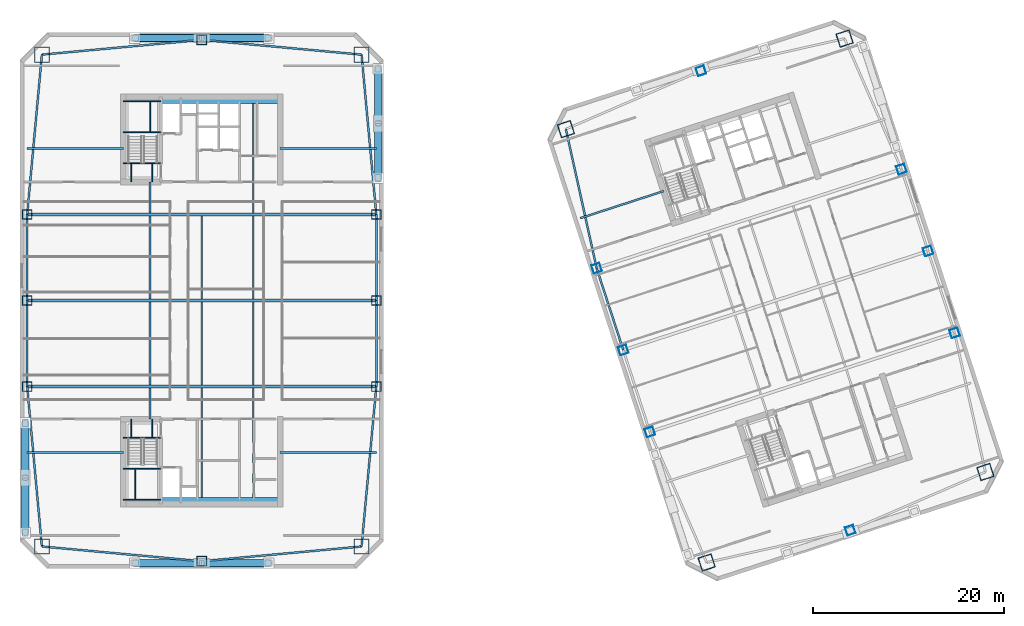
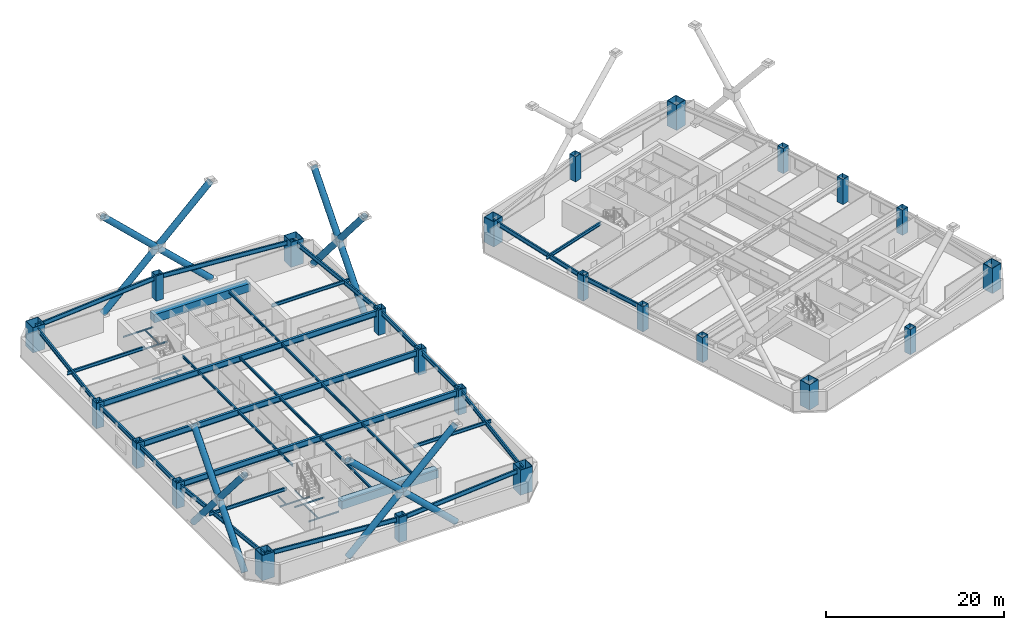
# One storey, part 1 of 12: 47 beams, 24 columns, 16 members.
"""IFC4 building model written with IfcOpenShell, lengths in metres."""

from ifc_helpers import new_model, si_unit, direction, frame, origin, origin_2d, place, context, subcontext, project, spatial, rectangle, hollow_rectangle, hollow_circle, i_section, extrude, material, material_profile, profile_set, type_object, element, save


model = new_model("IFC4")

# Units and contexts
model_context = context("Model", 3, precision=1e-05, world=origin(), true_north=direction((0.0, 1.0)))
body_context = subcontext(model_context, "Body", "Model", "MODEL_VIEW")
ifc_project = project(units=[si_unit("LENGTHUNIT", "METRE"), si_unit("AREAUNIT", "SQUARE_METRE"), si_unit("VOLUMEUNIT", "CUBIC_METRE"), si_unit("PLANEANGLEUNIT", "RADIAN"), si_unit("MASSUNIT", "GRAM", prefix="KILO")], contexts=[model_context])

# Site, building, storey
site_placement = place(None, origin())
site = spatial("IfcSite", under=ifc_project, at=site_placement, CompositionType="ELEMENT")
building_placement = place(site_placement, origin())
building = spatial("IfcBuilding", under=site, at=building_placement, Name="Qiaolan Cultural Towers", CompositionType="ELEMENT")
storey_placement = place(building_placement, frame((0.0, 0.0, 106.949951171875)))
storey = spatial("IfcBuildingStorey", under=building, at=storey_placement, Name="L27", CompositionType="ELEMENT", Elevation=106.949951171875)

# Columns
ifc_material_1 = material(Name="Steel Q355B", Category="steel")
ifc_material_profile_1 = material_profile(ifc_material_1, hollow_rectangle(XDim=1.0, YDim=1.0, WallThickness=0.035888671875, at=origin_2d()), Name="BOX1000x1000x36")
ifc_profile_set_1 = profile_set([ifc_material_profile_1], Name="Steel Q355B")
column_type_1 = type_object("IfcColumnType", Name="COL-BOX1000x1000x36", PredefinedType="COLUMN", material=ifc_profile_set_1)
for number, where, z_axis, x_axis, name in (
    (1, (11.75, 25.0, 0.0), (0.0, 0.0, 1.0), (1.0, 0.0, 0.0), "L27 T1 Perimeter Column PC-W1"),
    (2, (11.75, 34.0, 0.0), (0.0, 0.0, 1.0), (1.0, 0.0, 0.0), "L27 T1 Perimeter Column PC-W2"),
    (3, (11.75, 43.0, 0.0), (0.0, 0.0, 1.0), (1.0, 0.0, 0.0), "L27 T1 Perimeter Column PC-W3"),
    (4, (48.25, 25.0, 0.0), (0.0, 0.0, 1.0), (1.0, 0.0, 0.0), "L27 T1 Perimeter Column PC-E1"),
    (5, (48.25, 34.0, 0.0), (0.0, 0.0, 1.0), (1.0, 0.0, 0.0), "L27 T1 Perimeter Column PC-E2"),
    (6, (48.25, 43.0, 0.0), (0.0, 0.0, 1.0), (1.0, 0.0, 0.0), "L27 T1 Perimeter Column PC-E3"),
    (7, (30.0, 6.75, 0.0), (0.0, 0.0, 1.0), (1.0, 0.0, 0.0), "L27 T1 Perimeter Column PC-S0"),
    (8, (30.0, 61.25, 0.0), (0.0, 0.0, 1.0), (1.0, 0.0, 0.0), "L27 T1 Perimeter Column PC-N0"),
):
    element("IfcColumn", number, at=place(storey_placement, frame(where, z_axis=z_axis, x_axis=x_axis)), inside=storey, type_object=column_type_1, Name=name, PredefinedType="COLUMN", context=body_context, shape_type="SweptSolid", body=[
        extrude(hollow_rectangle(XDim=1.0, YDim=1.0, WallThickness=0.035888671875, at=origin_2d()), origin(), (0.0, 0.0, 1.0), 3.450927734375),
    ])
ifc_material_2 = material(Name="Steel Q420GJB", Category="steel")
ifc_material_profile_2 = material_profile(ifc_material_2, hollow_rectangle(XDim=1.449951171875, YDim=1.449951171875, WallThickness=0.050048828125, at=origin_2d()), Name="BOX1450x1450x50")
ifc_profile_set_2 = profile_set([ifc_material_profile_2], Name="Steel Q420GJB")
column_type_2 = type_object("IfcColumnType", Name="COL-BOX1450x1450x50", PredefinedType="COLUMN", material=ifc_profile_set_2)
for number, where, z_axis, x_axis, name in (
    (9, (82.79052734375, 6.611572265625, 0.0), (0.0, 0.0, 1.0), (0.951056516295, 0.309016994375, 0.0), "L27 T2 Perimeter Column MC-SW"),
    (10, (111.930908203125, 16.080078125, 0.0), (0.0, 0.0, 1.0), (0.951056516295, 0.309016994375, 0.0), "L27 T2 Perimeter Column MC-SE"),
    (11, (97.20947265625, 61.388427734375, 0.0), (0.0, 0.0, 1.0), (0.951056516295, 0.309016994375, 0.0), "L27 T2 Perimeter Column MC-NE"),
    (12, (68.069091796875, 51.919921875, 0.0), (0.0, 0.0, 1.0), (0.951056516295, 0.309016994375, 0.0), "L27 T2 Perimeter Column MC-NW"),
):
    element("IfcColumn", number, at=place(storey_placement, frame(where, z_axis=z_axis, x_axis=x_axis)), inside=storey, type_object=column_type_2, Name=name, PredefinedType="COLUMN", context=body_context, shape_type="SweptSolid", body=[
        extrude(hollow_rectangle(XDim=1.449951171875, YDim=1.449951171875, WallThickness=0.050048828125, at=origin_2d()), origin(), (0.0, 0.0, 1.0), 3.450927734375),
    ])
ifc_material_3 = material(Name="Steel Q420GJB", Category="steel")
ifc_material_profile_3 = material_profile(ifc_material_3, hollow_rectangle(XDim=1.60009765625, YDim=1.60009765625, WallThickness=0.054931640625, at=origin_2d()), Name="BOX1600x1600x55")
ifc_profile_set_3 = profile_set([ifc_material_profile_3], Name="Steel Q420GJB")
column_type_3 = type_object("IfcColumnType", Name="COL-BOX1600x1600x55", PredefinedType="COLUMN", material=ifc_profile_set_3)
for number, where, z_axis, x_axis, name in (
    (13, (13.2900390625, 8.2900390625, 0.0), (0.0, 0.0, 1.0), (1.0, 0.0, 0.0), "L27 T1 Perimeter Column MC-SW"),
    (14, (46.7099609375, 8.2900390625, 0.0), (0.0, 0.0, 1.0), (1.0, 0.0, 0.0), "L27 T1 Perimeter Column MC-SE"),
    (15, (46.7099609375, 59.7099609375, 0.0), (0.0, 0.0, 1.0), (1.0, 0.0, 0.0), "L27 T1 Perimeter Column MC-NE"),
    (16, (13.2900390625, 59.7099609375, 0.0), (0.0, 0.0, 1.0), (1.0, 0.0, 0.0), "L27 T1 Perimeter Column MC-NW"),
):
    element("IfcColumn", number, at=place(storey_placement, frame(where, z_axis=z_axis, x_axis=x_axis)), inside=storey, type_object=column_type_3, Name=name, PredefinedType="COLUMN", context=body_context, shape_type="SweptSolid", body=[
        extrude(hollow_rectangle(XDim=1.60009765625, YDim=1.60009765625, WallThickness=0.054931640625, at=origin_2d()), origin(), (0.0, 0.0, 1.0), 3.450927734375),
    ])
ifc_material_4 = material(Name="Steel Q355B", Category="steel")
ifc_material_profile_4 = material_profile(ifc_material_4, hollow_rectangle(XDim=0.89990234375, YDim=0.89990234375, WallThickness=0.031982421875, at=origin_2d()), Name="BOX900x900x32")
ifc_profile_set_4 = profile_set([ifc_material_profile_4], Name="Steel Q355B")
column_type_4 = type_object("IfcColumnType", Name="COL-BOX900x900x32", PredefinedType="COLUMN", material=ifc_profile_set_4)
for number, where, z_axis, x_axis, name in (
    (17, (76.85107421875, 20.264404296875, 0.0), (0.0, 0.0, 1.0), (0.951056516295, 0.309016994375, 0.0), "L27 T2 Perimeter Column PC-W1"),
    (18, (74.06982421875, 28.823974609375, 0.0), (0.0, 0.0, 1.0), (0.951056516295, 0.309016994375, 0.0), "L27 T2 Perimeter Column PC-W2"),
    (19, (71.28857421875, 37.383544921875, 0.0), (0.0, 0.0, 1.0), (0.951056516295, 0.309016994375, 0.0), "L27 T2 Perimeter Column PC-W3"),
    (20, (108.71142578125, 30.616455078125, 0.0), (0.0, 0.0, 1.0), (0.951056516295, 0.309016994375, 0.0), "L27 T2 Perimeter Column PC-E1"),
    (21, (105.93017578125, 39.176025390625, 0.0), (0.0, 0.0, 1.0), (0.951056516295, 0.309016994375, 0.0), "L27 T2 Perimeter Column PC-E2"),
    (22, (103.14892578125, 47.735595703125, 0.0), (0.0, 0.0, 1.0), (0.951056516295, 0.309016994375, 0.0), "L27 T2 Perimeter Column PC-E3"),
    (23, (97.802734375, 9.98583984375, 0.0), (0.0, 0.0, 1.0), (0.951056516295, 0.309016994375, 0.0), "L27 T2 Perimeter Column PC-S0"),
    (24, (82.197265625, 58.01416015625, 0.0), (0.0, 0.0, 1.0), (0.951056516295, 0.309016994375, 0.0), "L27 T2 Perimeter Column PC-N0"),
):
    element("IfcColumn", number, at=place(storey_placement, frame(where, z_axis=z_axis, x_axis=x_axis)), inside=storey, type_object=column_type_4, Name=name, PredefinedType="COLUMN", context=body_context, shape_type="SweptSolid", body=[
        extrude(hollow_rectangle(XDim=0.89990234375, YDim=0.89990234375, WallThickness=0.031982421875, at=origin_2d()), origin(), (0.0, 0.0, 1.0), 3.450927734375),
    ])

# Beams
ifc_material_5 = material(Name="Steel Q355B", Category="steel")
ifc_material_profile_5 = material_profile(ifc_material_5, i_section(OverallWidth=0.300048828125, OverallDepth=0.800048828125, WebThickness=0.013916015625, FlangeThickness=0.02587890625, at=origin_2d()), Name="HN800x300x14x26")
ifc_profile_set_5 = profile_set([ifc_material_profile_5], Name="Steel Q355B")
beam_type_1 = type_object("IfcBeamType", Name="BM-HN800x300x14x26", PredefinedType="BEAM", material=ifc_profile_set_5)
for number, where, z_axis, x_axis, name in (
    (25, (11.75, 25.0, 2.7900390625), (1.0, 0.0, 0.0), (0.0, 1.0, 0.0), "L27 T1 Primary Transverse Girder V1"),
    (26, (11.75, 34.0, 2.7900390625), (1.0, 0.0, 0.0), (0.0, 1.0, 0.0), "L27 T1 Primary Transverse Girder V2"),
    (27, (11.75, 43.0, 2.7900390625), (1.0, 0.0, 0.0), (0.0, 1.0, 0.0), "L27 T1 Primary Transverse Girder V3"),
):
    element("IfcBeam", number, at=place(storey_placement, frame(where, z_axis=z_axis, x_axis=x_axis)), inside=storey, type_object=beam_type_1, Name=name, PredefinedType="BEAM", context=body_context, shape_type="SweptSolid", body=[
        extrude(i_section(OverallWidth=0.300048828125, OverallDepth=0.800048828125, WebThickness=0.013916015625, FlangeThickness=0.02587890625, at=origin_2d()), origin(), (0.0, 0.0, 1.0), 36.5),
    ])
ifc_material_6 = material(Name="Steel Q355B", Category="steel")
ifc_material_profile_6 = material_profile(ifc_material_6, i_section(OverallWidth=0.175048828125, OverallDepth=0.35009765625, WebThickness=0.007080078125, FlangeThickness=0.010986328125, at=origin_2d()), Name="HN350x175x7x11")
ifc_profile_set_6 = profile_set([ifc_material_profile_6], Name="Steel Q355B")
beam_type_2 = type_object("IfcBeamType", Name="BM-JST-HN350x175x7x11", PredefinedType="JOIST", material=ifc_profile_set_6)
beam_1_placement = place(storey_placement, frame((24.60009765625, 21.60009765625, 3.01513671875), z_axis=(0.0, 1.0, 0.0), x_axis=(-1.0, 0.0, 0.0)))
element("IfcBeam", 28, at=beam_1_placement, inside=storey, type_object=beam_type_2, Name="L27 T1 Secondary Floor Joist U1-1", PredefinedType="JOIST", context=body_context, shape_type="SweptSolid", body=[
    extrude(i_section(OverallWidth=0.175048828125, OverallDepth=0.35009765625, WebThickness=0.007080078125, FlangeThickness=0.010986328125, at=origin_2d()), origin(), (0.0, 0.0, 1.0), 3.25),
])
for number, where, z_axis, x_axis, name in (
    (29, (24.60009765625, 25.14990234375, 3.01513671875), (0.0, 1.0, 0.0), (-1.0, 0.0, 0.0), "L27 T1 Secondary Floor Joist U1-2"),
    (30, (24.60009765625, 34.14990234375, 3.01513671875), (0.0, 1.0, 0.0), (-1.0, 0.0, 0.0), "L27 T1 Secondary Floor Joist U1-3"),
):
    element("IfcBeam", number, at=place(storey_placement, frame(where, z_axis=z_axis, x_axis=x_axis)), inside=storey, type_object=beam_type_2, Name=name, PredefinedType="JOIST", context=body_context, shape_type="SweptSolid", body=[
        extrude(i_section(OverallWidth=0.175048828125, OverallDepth=0.35009765625, WebThickness=0.007080078125, FlangeThickness=0.010986328125, at=origin_2d()), origin(), (0.0, 0.0, 1.0), 8.7001953125),
    ])
beam_2_placement = place(storey_placement, frame((24.60009765625, 43.14990234375, 3.01513671875), z_axis=(0.0, 1.0, 0.0), x_axis=(-1.0, 0.0, 0.0)))
element("IfcBeam", 31, at=beam_2_placement, inside=storey, type_object=beam_type_2, Name="L27 T1 Secondary Floor Joist U1-4", PredefinedType="JOIST", context=body_context, shape_type="SweptSolid", body=[
    extrude(i_section(OverallWidth=0.175048828125, OverallDepth=0.35009765625, WebThickness=0.007080078125, FlangeThickness=0.010986328125, at=origin_2d()), origin(), (0.0, 0.0, 1.0), 3.25),
])
beam_3_placement = place(storey_placement, frame((30.0, 13.39990234375, 3.01513671875), z_axis=(0.0, 1.0, 0.0), x_axis=(-1.0, 0.0, 0.0)))
element("IfcBeam", 32, at=beam_3_placement, inside=storey, type_object=beam_type_2, Name="L27 T1 Secondary Floor Joist U2-1", PredefinedType="JOIST", context=body_context, shape_type="SweptSolid", body=[
    extrude(i_section(OverallWidth=0.175048828125, OverallDepth=0.35009765625, WebThickness=0.007080078125, FlangeThickness=0.010986328125, at=origin_2d()), origin(), (0.0, 0.0, 1.0), 11.4501953125),
])
for number, where, z_axis, x_axis, name in (
    (33, (30.0, 25.14990234375, 3.01513671875), (0.0, 1.0, 0.0), (-1.0, 0.0, 0.0), "L27 T1 Secondary Floor Joist U2-2"),
    (34, (30.0, 34.14990234375, 3.01513671875), (0.0, 1.0, 0.0), (-1.0, 0.0, 0.0), "L27 T1 Secondary Floor Joist U2-3"),
):
    element("IfcBeam", number, at=place(storey_placement, frame(where, z_axis=z_axis, x_axis=x_axis)), inside=storey, type_object=beam_type_2, Name=name, PredefinedType="JOIST", context=body_context, shape_type="SweptSolid", body=[
        extrude(i_section(OverallWidth=0.175048828125, OverallDepth=0.35009765625, WebThickness=0.007080078125, FlangeThickness=0.010986328125, at=origin_2d()), origin(), (0.0, 0.0, 1.0), 8.7001953125),
    ])
beam_4_placement = place(storey_placement, frame((35.39990234375, 13.39990234375, 3.01513671875), z_axis=(0.0, 1.0, 0.0), x_axis=(-1.0, 0.0, 0.0)))
element("IfcBeam", 35, at=beam_4_placement, inside=storey, type_object=beam_type_2, Name="L27 T1 Secondary Floor Joist U3-1", PredefinedType="JOIST", context=body_context, shape_type="SweptSolid", body=[
    extrude(i_section(OverallWidth=0.175048828125, OverallDepth=0.35009765625, WebThickness=0.007080078125, FlangeThickness=0.010986328125, at=origin_2d()), origin(), (0.0, 0.0, 1.0), 11.4501953125),
])
for number, where, z_axis, x_axis, name in (
    (36, (35.39990234375, 25.14990234375, 3.01513671875), (0.0, 1.0, 0.0), (-1.0, 0.0, 0.0), "L27 T1 Secondary Floor Joist U3-2"),
    (37, (35.39990234375, 34.14990234375, 3.01513671875), (0.0, 1.0, 0.0), (-1.0, 0.0, 0.0), "L27 T1 Secondary Floor Joist U3-3"),
):
    element("IfcBeam", number, at=place(storey_placement, frame(where, z_axis=z_axis, x_axis=x_axis)), inside=storey, type_object=beam_type_2, Name=name, PredefinedType="JOIST", context=body_context, shape_type="SweptSolid", body=[
        extrude(i_section(OverallWidth=0.175048828125, OverallDepth=0.35009765625, WebThickness=0.007080078125, FlangeThickness=0.010986328125, at=origin_2d()), origin(), (0.0, 0.0, 1.0), 8.7001953125),
    ])
beam_5_placement = place(storey_placement, frame((35.39990234375, 43.14990234375, 3.01513671875), z_axis=(0.0, 1.0, 0.0), x_axis=(-1.0, 0.0, 0.0)))
element("IfcBeam", 38, at=beam_5_placement, inside=storey, type_object=beam_type_2, Name="L27 T1 Secondary Floor Joist U3-4", PredefinedType="JOIST", context=body_context, shape_type="SweptSolid", body=[
    extrude(i_section(OverallWidth=0.175048828125, OverallDepth=0.35009765625, WebThickness=0.007080078125, FlangeThickness=0.010986328125, at=origin_2d()), origin(), (0.0, 0.0, 1.0), 11.4501953125),
])
ifc_material_7 = material(Name="Steel Q355B", Category="steel")
ifc_material_profile_7 = material_profile(ifc_material_7, i_section(OverallWidth=0.199951171875, OverallDepth=0.449951171875, WebThickness=0.009033203125, FlangeThickness=0.013916015625, at=origin_2d()), Name="HN450x200x9x14")
ifc_profile_set_7 = profile_set([ifc_material_profile_7], Name="Steel Q355B")
beam_type_3 = type_object("IfcBeamType", Name="BM-LNT-HN450x200x9x14", PredefinedType="LINTEL", material=ifc_profile_set_7)
for number, where, z_axis, x_axis, name in (
    (39, (21.800048828125, 18.10009765625, 2.965087890625), (-1.0, 0.0, 0.0), (0.0, -1.0, 0.0), "L27 T1 Core Flank Tie Lintel WS"),
    (40, (21.800048828125, 49.89990234375, 2.965087890625), (-1.0, 0.0, 0.0), (0.0, -1.0, 0.0), "L27 T1 Core Flank Tie Lintel WN"),
    (41, (38.199951171875, 18.10009765625, 2.965087890625), (1.0, 0.0, 0.0), (0.0, 1.0, 0.0), "L27 T1 Core Flank Tie Lintel ES"),
    (42, (38.199951171875, 49.89990234375, 2.965087890625), (1.0, 0.0, 0.0), (0.0, 1.0, 0.0), "L27 T1 Core Flank Tie Lintel EN"),
):
    element("IfcBeam", number, at=place(storey_placement, frame(where, z_axis=z_axis, x_axis=x_axis)), inside=storey, type_object=beam_type_3, Name=name, PredefinedType="LINTEL", context=body_context, shape_type="SweptSolid", body=[
        extrude(i_section(OverallWidth=0.199951171875, OverallDepth=0.449951171875, WebThickness=0.009033203125, FlangeThickness=0.013916015625, at=origin_2d()), origin(), (0.0, 0.0, 1.0), 10.050048828125),
    ])
beam_6_placement = place(storey_placement, frame((78.291259765625, 45.44189453125, 2.965087890625), z_axis=(-0.951052106475, -0.309030566076, 0.0), x_axis=(0.309030566076, -0.951052106475, 0.0)))
element("IfcBeam", 43, at=beam_6_placement, inside=storey, type_object=beam_type_3, Name="L27 T2 Core Flank Tie Lintel WN", PredefinedType="LINTEL", context=body_context, shape_type="SweptSolid", body=[
    extrude(i_section(OverallWidth=0.199951171875, OverallDepth=0.449951171875, WebThickness=0.009033203125, FlangeThickness=0.013916015625, at=origin_2d()), origin(), (0.0, 0.0, 1.0), 9.14990234375),
])
ifc_material_8 = material(Name="Concrete C50", Category="concrete")
ifc_material_profile_8 = material_profile(ifc_material_8, rectangle(XDim=0.89990234375, YDim=1.10009765625, at=origin_2d()), Name="RC900x1100")
ifc_profile_set_8 = profile_set([ifc_material_profile_8], Name="Concrete C50")
beam_type_4 = type_object("IfcBeamType", Name="BM-RC900x1100", PredefinedType="BEAM", material=ifc_profile_set_8)
for number, where, z_axis, x_axis, name in (
    (44, (25.719970703125, 12.949951171875, 2.64013671875), (1.0, 0.0, 0.0), (0.0, 1.0, 0.0), "L27 T1 Core Header Girder S"),
    (45, (25.719970703125, 55.050048828125, 2.64013671875), (1.0, 0.0, 0.0), (0.0, 1.0, 0.0), "L27 T1 Core Header Girder N"),
):
    element("IfcBeam", number, at=place(storey_placement, frame(where, z_axis=z_axis, x_axis=x_axis)), inside=storey, type_object=beam_type_4, Name=name, PredefinedType="BEAM", context=body_context, shape_type="SweptSolid", body=[
        extrude(rectangle(XDim=0.89990234375, YDim=1.10009765625, at=origin_2d()), origin(), (0.0, 0.0, 1.0), 12.47998046875),
    ])
ifc_material_9 = material(Name="Steel Q355B", Category="steel")
ifc_material_profile_9 = material_profile(ifc_material_9, i_section(OverallWidth=0.199951171875, OverallDepth=0.60009765625, WebThickness=0.010986328125, FlangeThickness=0.01708984375, at=origin_2d()), Name="HN600x200x11x17")
ifc_profile_set_9 = profile_set([ifc_material_profile_9], Name="Steel Q355B")
beam_type_5 = type_object("IfcBeamType", Name="BM-SPD-HN600x200x11x17", PredefinedType="SPANDREL", material=ifc_profile_set_9)
for number, where, z_axis, x_axis, name in (
    (46, (13.2900390625, 8.2900390625, 2.89013671875), (0.995779862064, -0.09177399582, 0.0), (0.09177399582, 0.995779862064, 0.0), "L27 T1 Perimeter Spandrel Beam 1"),
    (47, (30.0, 6.75, 2.89013671875), (0.995779862064, 0.09177399582, 0.0), (-0.09177399582, 0.995779862064, 0.0), "L27 T1 Perimeter Spandrel Beam 2"),
    (48, (46.7099609375, 8.2900390625, 2.89013671875), (0.09177399582, 0.995779862064, 0.0), (-0.995779862064, 0.09177399582, 0.0), "L27 T1 Perimeter Spandrel Beam 3"),
):
    element("IfcBeam", number, at=place(storey_placement, frame(where, z_axis=z_axis, x_axis=x_axis)), inside=storey, type_object=beam_type_5, Name=name, PredefinedType="SPANDREL", context=body_context, shape_type="SweptSolid", body=[
        extrude(i_section(OverallWidth=0.199951171875, OverallDepth=0.60009765625, WebThickness=0.010986328125, FlangeThickness=0.01708984375, at=origin_2d()), origin(), (0.0, 0.0, 1.0), 16.78076171875),
    ])
for number, where, z_axis, x_axis, name in (
    (49, (48.25, 25.0, 2.89013671875), (0.0, 1.0, 0.0), (-1.0, 0.0, 0.0), "L27 T1 Perimeter Spandrel Beam 4"),
    (50, (48.25, 34.0, 2.89013671875), (0.0, 1.0, 0.0), (-1.0, 0.0, 0.0), "L27 T1 Perimeter Spandrel Beam 5"),
):
    element("IfcBeam", number, at=place(storey_placement, frame(where, z_axis=z_axis, x_axis=x_axis)), inside=storey, type_object=beam_type_5, Name=name, PredefinedType="SPANDREL", context=body_context, shape_type="SweptSolid", body=[
        extrude(i_section(OverallWidth=0.199951171875, OverallDepth=0.60009765625, WebThickness=0.010986328125, FlangeThickness=0.01708984375, at=origin_2d()), origin(), (0.0, 0.0, 1.0), 9.0),
    ])
for number, where, z_axis, x_axis, name in (
    (51, (48.25, 43.0, 2.89013671875), (-0.09177399582, 0.995779862064, 0.0), (-0.995779862064, -0.09177399582, 0.0), "L27 T1 Perimeter Spandrel Beam 6"),
    (52, (46.7099609375, 59.7099609375, 2.89013671875), (-0.995779862064, 0.09177399582, 0.0), (-0.09177399582, -0.995779862064, 0.0), "L27 T1 Perimeter Spandrel Beam 7"),
    (53, (30.0, 61.25, 2.89013671875), (-0.995779862064, -0.09177399582, 0.0), (0.09177399582, -0.995779862064, 0.0), "L27 T1 Perimeter Spandrel Beam 8"),
    (54, (13.2900390625, 59.7099609375, 2.89013671875), (-0.09177399582, -0.995779862064, 0.0), (0.995779862064, -0.09177399582, 0.0), "L27 T1 Perimeter Spandrel Beam 9"),
):
    element("IfcBeam", number, at=place(storey_placement, frame(where, z_axis=z_axis, x_axis=x_axis)), inside=storey, type_object=beam_type_5, Name=name, PredefinedType="SPANDREL", context=body_context, shape_type="SweptSolid", body=[
        extrude(i_section(OverallWidth=0.199951171875, OverallDepth=0.60009765625, WebThickness=0.010986328125, FlangeThickness=0.01708984375, at=origin_2d()), origin(), (0.0, 0.0, 1.0), 16.78076171875),
    ])
for number, where, z_axis, x_axis, name in (
    (55, (11.75, 43.0, 2.89013671875), (0.0, -1.0, 0.0), (1.0, 0.0, 0.0), "L27 T1 Perimeter Spandrel Beam 10"),
    (56, (11.75, 34.0, 2.89013671875), (0.0, -1.0, 0.0), (1.0, 0.0, 0.0), "L27 T1 Perimeter Spandrel Beam 11"),
):
    element("IfcBeam", number, at=place(storey_placement, frame(where, z_axis=z_axis, x_axis=x_axis)), inside=storey, type_object=beam_type_5, Name=name, PredefinedType="SPANDREL", context=body_context, shape_type="SweptSolid", body=[
        extrude(i_section(OverallWidth=0.199951171875, OverallDepth=0.60009765625, WebThickness=0.010986328125, FlangeThickness=0.01708984375, at=origin_2d()), origin(), (0.0, 0.0, 1.0), 9.0),
    ])
beam_7_placement = place(storey_placement, frame((11.75, 25.0, 2.89013671875), z_axis=(0.09177399582, -0.995779862064, 0.0), x_axis=(0.995779862064, 0.09177399582, 0.0)))
element("IfcBeam", 57, at=beam_7_placement, inside=storey, type_object=beam_type_5, Name="L27 T1 Perimeter Spandrel Beam 12", PredefinedType="SPANDREL", context=body_context, shape_type="SweptSolid", body=[
    extrude(i_section(OverallWidth=0.199951171875, OverallDepth=0.60009765625, WebThickness=0.010986328125, FlangeThickness=0.01708984375, at=origin_2d()), origin(), (0.0, 0.0, 1.0), 16.78076171875),
])
beam_8_placement = place(storey_placement, frame((68.069091796875, 51.919921875, 2.89013671875), z_axis=(0.216237644833, -0.976340760676, 0.0), x_axis=(0.976340760676, 0.216237644833, 0.0)))
element("IfcBeam", 58, at=beam_8_placement, inside=storey, type_object=beam_type_5, Name="L27 T2 Perimeter Spandrel Beam 9", PredefinedType="SPANDREL", context=body_context, shape_type="SweptSolid", body=[
    extrude(i_section(OverallWidth=0.199951171875, OverallDepth=0.60009765625, WebThickness=0.010986328125, FlangeThickness=0.01708984375, at=origin_2d()), origin(), (0.0, 0.0, 1.0), 14.888671875),
])
beam_9_placement = place(storey_placement, frame((71.28857421875, 37.383544921875, 2.89013671875), z_axis=(0.309024734286, -0.951054001411, 0.0), x_axis=(0.951054001411, 0.309024734286, 0.0)))
element("IfcBeam", 59, at=beam_9_placement, inside=storey, type_object=beam_type_5, Name="L27 T2 Perimeter Spandrel Beam 10", PredefinedType="SPANDREL", context=body_context, shape_type="SweptSolid", body=[
    extrude(i_section(OverallWidth=0.199951171875, OverallDepth=0.60009765625, WebThickness=0.010986328125, FlangeThickness=0.01708984375, at=origin_2d()), origin(), (0.0, 0.0, 1.0), 9.0),
])
ifc_material_10 = material(Name="Steel Q355B", Category="steel")
ifc_material_profile_10 = material_profile(ifc_material_10, i_section(OverallWidth=0.10009765625, OverallDepth=0.199951171875, WebThickness=0.005615234375, FlangeThickness=0.008056640625, at=origin_2d()), Name="HN200x100x5.5x8")
ifc_profile_set_10 = profile_set([ifc_material_profile_10], Name="Steel Q355B")
beam_type_6 = type_object("IfcBeamType", Name="BM-STTRIM-200", PredefinedType="BEAM", material=ifc_profile_set_10)
beam_10_placement = place(storey_placement, frame((21.800048828125, 19.659912109375, -0.4599609375), z_axis=(1.0, 0.0, 0.0), x_axis=(0.0, 1.0, 0.0)))
element("IfcBeam", 60, at=beam_10_placement, inside=storey, type_object=beam_type_6, Name="L27 ST-W1 Floor Landing Header Beam", PredefinedType="BEAM", context=body_context, shape_type="SweptSolid", body=[
    extrude(i_section(OverallWidth=0.10009765625, OverallDepth=0.199951171875, WebThickness=0.005615234375, FlangeThickness=0.008056640625, at=origin_2d()), origin(), (0.0, 0.0, 1.0), 3.919921875),
])
for number, where, z_axis, x_axis, name in (
    (61, (22.64990234375, 21.60009765625, -0.4599609375), (0.0, -1.0, 0.0), (1.0, 0.0, 0.0), "L27 ST-W1 Floor Landing Stringer 1"),
    (62, (24.85009765625, 21.60009765625, -0.4599609375), (0.0, -1.0, 0.0), (1.0, 0.0, 0.0), "L27 ST-W1 Floor Landing Stringer 2"),
):
    element("IfcBeam", number, at=place(storey_placement, frame(where, z_axis=z_axis, x_axis=x_axis)), inside=storey, type_object=beam_type_6, Name=name, PredefinedType="BEAM", context=body_context, shape_type="SweptSolid", body=[
        extrude(i_section(OverallWidth=0.10009765625, OverallDepth=0.199951171875, WebThickness=0.005615234375, FlangeThickness=0.008056640625, at=origin_2d()), origin(), (0.0, 0.0, 1.0), 1.940185546875),
    ])
for number, where, z_axis, x_axis, name in (
    (63, (21.800048828125, 16.411376953125, 1.425048828125), (1.0, 0.0, 0.0), (0.0, 1.0, 0.0), "L27 ST-W1 Stair Landing Support Beam 1-1"),
    (64, (21.800048828125, 13.179931640625, 1.425048828125), (1.0, 0.0, 0.0), (0.0, 1.0, 0.0), "L27 ST-W1 Stair Landing Support Beam 1-2"),
):
    element("IfcBeam", number, at=place(storey_placement, frame(where, z_axis=z_axis, x_axis=x_axis)), inside=storey, type_object=beam_type_6, Name=name, PredefinedType="BEAM", context=body_context, shape_type="SweptSolid", body=[
        extrude(i_section(OverallWidth=0.10009765625, OverallDepth=0.199951171875, WebThickness=0.005615234375, FlangeThickness=0.008056640625, at=origin_2d()), origin(), (0.0, 0.0, 1.0), 3.919921875),
    ])
beam_11_placement = place(storey_placement, frame((23.070068359375, 16.411376953125, 1.425048828125), z_axis=(0.0, -1.0, 0.0), x_axis=(1.0, 0.0, 0.0)))
element("IfcBeam", 65, at=beam_11_placement, inside=storey, type_object=beam_type_6, Name="L27 ST-W1 Stair Landing Trimmer 1", PredefinedType="BEAM", context=body_context, shape_type="SweptSolid", body=[
    extrude(i_section(OverallWidth=0.10009765625, OverallDepth=0.199951171875, WebThickness=0.005615234375, FlangeThickness=0.008056640625, at=origin_2d()), origin(), (0.0, 0.0, 1.0), 3.2314453125),
])
beam_12_placement = place(storey_placement, frame((21.800048828125, 48.340087890625, -0.4599609375), z_axis=(1.0, 0.0, 0.0), x_axis=(0.0, 1.0, 0.0)))
element("IfcBeam", 66, at=beam_12_placement, inside=storey, type_object=beam_type_6, Name="L27 ST-W2 Floor Landing Header Beam", PredefinedType="BEAM", context=body_context, shape_type="SweptSolid", body=[
    extrude(i_section(OverallWidth=0.10009765625, OverallDepth=0.199951171875, WebThickness=0.005615234375, FlangeThickness=0.008056640625, at=origin_2d()), origin(), (0.0, 0.0, 1.0), 3.919921875),
])
for number, where, z_axis, x_axis, name in (
    (67, (22.64990234375, 46.39990234375, -0.4599609375), (0.0, 1.0, 0.0), (-1.0, 0.0, 0.0), "L27 ST-W2 Floor Landing Stringer 1"),
    (68, (24.85009765625, 46.39990234375, -0.4599609375), (0.0, 1.0, 0.0), (-1.0, 0.0, 0.0), "L27 ST-W2 Floor Landing Stringer 2"),
):
    element("IfcBeam", number, at=place(storey_placement, frame(where, z_axis=z_axis, x_axis=x_axis)), inside=storey, type_object=beam_type_6, Name=name, PredefinedType="BEAM", context=body_context, shape_type="SweptSolid", body=[
        extrude(i_section(OverallWidth=0.10009765625, OverallDepth=0.199951171875, WebThickness=0.005615234375, FlangeThickness=0.008056640625, at=origin_2d()), origin(), (0.0, 0.0, 1.0), 1.940185546875),
    ])
for number, where, z_axis, x_axis, name in (
    (69, (21.800048828125, 51.588623046875, 1.425048828125), (1.0, 0.0, 0.0), (0.0, 1.0, 0.0), "L27 ST-W2 Stair Landing Support Beam 1-1"),
    (70, (21.800048828125, 54.820068359375, 1.425048828125), (1.0, 0.0, 0.0), (0.0, 1.0, 0.0), "L27 ST-W2 Stair Landing Support Beam 1-2"),
):
    element("IfcBeam", number, at=place(storey_placement, frame(where, z_axis=z_axis, x_axis=x_axis)), inside=storey, type_object=beam_type_6, Name=name, PredefinedType="BEAM", context=body_context, shape_type="SweptSolid", body=[
        extrude(i_section(OverallWidth=0.10009765625, OverallDepth=0.199951171875, WebThickness=0.005615234375, FlangeThickness=0.008056640625, at=origin_2d()), origin(), (0.0, 0.0, 1.0), 3.919921875),
    ])
beam_13_placement = place(storey_placement, frame((24.610107421875, 51.588623046875, 1.425048828125), z_axis=(0.0, 1.0, 0.0), x_axis=(-1.0, 0.0, 0.0)))
element("IfcBeam", 71, at=beam_13_placement, inside=storey, type_object=beam_type_6, Name="L27 ST-W2 Stair Landing Trimmer 1", PredefinedType="BEAM", context=body_context, shape_type="SweptSolid", body=[
    extrude(i_section(OverallWidth=0.10009765625, OverallDepth=0.199951171875, WebThickness=0.005615234375, FlangeThickness=0.008056640625, at=origin_2d()), origin(), (0.0, 0.0, 1.0), 3.2314453125),
])

# Members
ifc_material_11 = material(Name="Steel Q390GJB", Category="steel")
ifc_material_profile_11 = material_profile(ifc_material_11, hollow_circle(Radius=0.39990234375, WallThickness=0.0400390625, at=origin_2d()), Name="CHS800x40")
ifc_profile_set_11 = profile_set([ifc_material_profile_11], Name="Steel Q390GJB")
member_type = type_object("IfcMemberType", Name="MBR-BRC-CHS800x40", PredefinedType="BRACE", material=ifc_profile_set_11)
for number, where, z_axis, x_axis, name in (
    (72, (11.550048828125, 9.75, 0.150146484375), (0.0, 0.651042838059, 0.75904098902), (-1.0, 0.0, 0.0), "T1 WEST Perimeter Frame Diagonal W-Z2-M2-D1A"),
    (73, (11.550048828125, 15.47509765625, 6.824951171875), (0.0, 0.651013122571, 0.759066475509), (-1.0, 0.0, 0.0), "T1 WEST Perimeter Frame Diagonal W-Z2-M2-D1B"),
):
    element("IfcMember", number, at=place(storey_placement, frame(where, z_axis=z_axis, x_axis=x_axis)), inside=storey, type_object=member_type, Name=name, PredefinedType="BRACE", context=body_context, shape_type="SweptSolid", body=[
        extrude(hollow_circle(Radius=0.39990234375, WallThickness=0.0400390625, at=origin_2d()), origin(), (0.0, 0.0, 1.0), 8.793701171875),
    ])
member_1_placement = place(storey_placement, frame((11.550048828125, 21.199951171875, 0.150146484375), z_axis=(0.0, -0.651026842149, 0.759054708702), x_axis=(1.0, 0.0, 0.0)))
element("IfcMember", 74, at=member_1_placement, inside=storey, type_object=member_type, Name="T1 WEST Perimeter Frame Diagonal W-Z2-M2-D2A", PredefinedType="BRACE", context=body_context, shape_type="SweptSolid", body=[
    extrude(hollow_circle(Radius=0.39990234375, WallThickness=0.0400390625, at=origin_2d()), origin(), (0.0, 0.0, 1.0), 8.79345703125),
])
member_2_placement = place(storey_placement, frame((11.550048828125, 15.47509765625, 6.824951171875), z_axis=(0.0, -0.651029118639, 0.759052756193), x_axis=(1.0, 0.0, 0.0)))
element("IfcMember", 75, at=member_2_placement, inside=storey, type_object=member_type, Name="T1 WEST Perimeter Frame Diagonal W-Z2-M2-D2B", PredefinedType="BRACE", context=body_context, shape_type="SweptSolid", body=[
    extrude(hollow_circle(Radius=0.39990234375, WallThickness=0.0400390625, at=origin_2d()), origin(), (0.0, 0.0, 1.0), 8.7939453125),
])
member_3_placement = place(storey_placement, frame((48.449951171875, 46.800048828125, 0.150146484375), z_axis=(0.0, 0.651026842149, 0.759054708702), x_axis=(-1.0, 0.0, 0.0)))
element("IfcMember", 76, at=member_3_placement, inside=storey, type_object=member_type, Name="T1 EAST Perimeter Frame Diagonal W-Z2-M2-D1A", PredefinedType="BRACE", context=body_context, shape_type="SweptSolid", body=[
    extrude(hollow_circle(Radius=0.39990234375, WallThickness=0.0400390625, at=origin_2d()), origin(), (0.0, 0.0, 1.0), 8.79345703125),
])
member_4_placement = place(storey_placement, frame((48.449951171875, 52.52490234375, 6.824951171875), z_axis=(0.0, 0.651029118639, 0.759052756193), x_axis=(-1.0, 0.0, 0.0)))
element("IfcMember", 77, at=member_4_placement, inside=storey, type_object=member_type, Name="T1 EAST Perimeter Frame Diagonal W-Z2-M2-D1B", PredefinedType="BRACE", context=body_context, shape_type="SweptSolid", body=[
    extrude(hollow_circle(Radius=0.39990234375, WallThickness=0.0400390625, at=origin_2d()), origin(), (0.0, 0.0, 1.0), 8.7939453125),
])
for number, where, z_axis, x_axis, name in (
    (78, (48.449951171875, 58.25, 0.150146484375), (0.0, -0.651042838059, 0.75904098902), (1.0, 0.0, 0.0), "T1 EAST Perimeter Frame Diagonal W-Z2-M2-D2A"),
    (79, (48.449951171875, 52.52490234375, 6.824951171875), (0.0, -0.651013122571, 0.759066475509), (1.0, 0.0, 0.0), "T1 EAST Perimeter Frame Diagonal W-Z2-M2-D2B"),
):
    element("IfcMember", number, at=place(storey_placement, frame(where, z_axis=z_axis, x_axis=x_axis)), inside=storey, type_object=member_type, Name=name, PredefinedType="BRACE", context=body_context, shape_type="SweptSolid", body=[
        extrude(hollow_circle(Radius=0.39990234375, WallThickness=0.0400390625, at=origin_2d()), origin(), (0.0, 0.0, 1.0), 8.793701171875),
    ])
for number, where, z_axis, x_axis, name in (
    (80, (23.0, 6.550048828125, 0.150146484375), (0.723717609069, 0.0, 0.690096241349), (0.0, 1.0, 0.0), "T1 SOUTH Perimeter Frame Diagonal W-Z2-M2-D1A"),
    (81, (30.0, 6.550048828125, 6.824951171875), (0.723705002801, 0.0, 0.69010946155), (0.0, 1.0, 0.0), "T1 SOUTH Perimeter Frame Diagonal W-Z2-M2-D1B"),
    (82, (37.0, 6.550048828125, 0.150146484375), (-0.723717609069, 0.0, 0.690096241349), (0.0, -1.0, 0.0), "T1 SOUTH Perimeter Frame Diagonal W-Z2-M2-D2A"),
    (83, (30.0, 6.550048828125, 6.824951171875), (-0.723705002801, 0.0, 0.69010946155), (0.0, -1.0, 0.0), "T1 SOUTH Perimeter Frame Diagonal W-Z2-M2-D2B"),
    (84, (23.0, 61.449951171875, 0.150146484375), (0.723717609069, 0.0, 0.690096241349), (0.0, 1.0, 0.0), "T1 NORTH Perimeter Frame Diagonal W-Z2-M2-D1A"),
    (85, (30.0, 61.449951171875, 6.824951171875), (0.723705002801, 0.0, 0.69010946155), (0.0, 1.0, 0.0), "T1 NORTH Perimeter Frame Diagonal W-Z2-M2-D1B"),
    (86, (37.0, 61.449951171875, 0.150146484375), (-0.723717609069, 0.0, 0.690096241349), (0.0, -1.0, 0.0), "T1 NORTH Perimeter Frame Diagonal W-Z2-M2-D2A"),
    (87, (30.0, 61.449951171875, 6.824951171875), (-0.723705002801, 0.0, 0.69010946155), (0.0, -1.0, 0.0), "T1 NORTH Perimeter Frame Diagonal W-Z2-M2-D2B"),
):
    element("IfcMember", number, at=place(storey_placement, frame(where, z_axis=z_axis, x_axis=x_axis)), inside=storey, type_object=member_type, Name=name, PredefinedType="BRACE", context=body_context, shape_type="SweptSolid", body=[
        extrude(hollow_circle(Radius=0.39990234375, WallThickness=0.0400390625, at=origin_2d()), origin(), (0.0, 0.0, 1.0), 9.67236328125),
    ])

save(model, "model.ifc")
